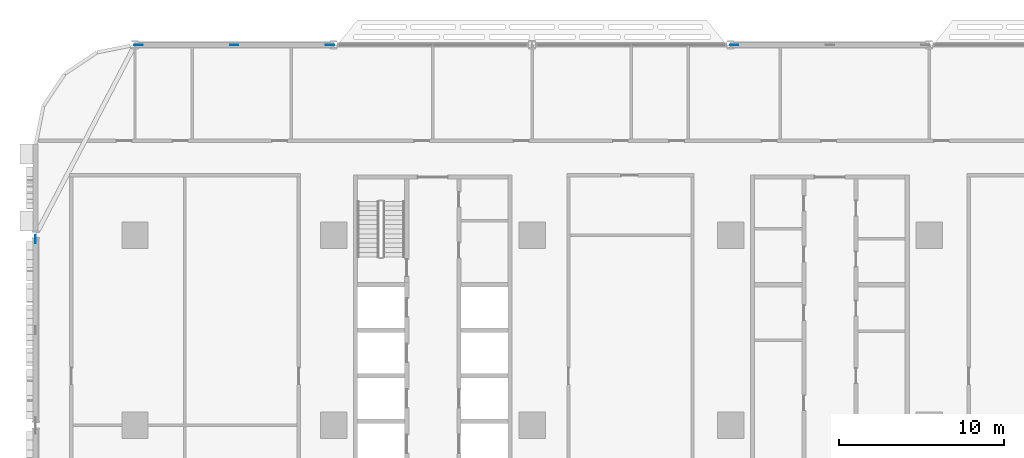
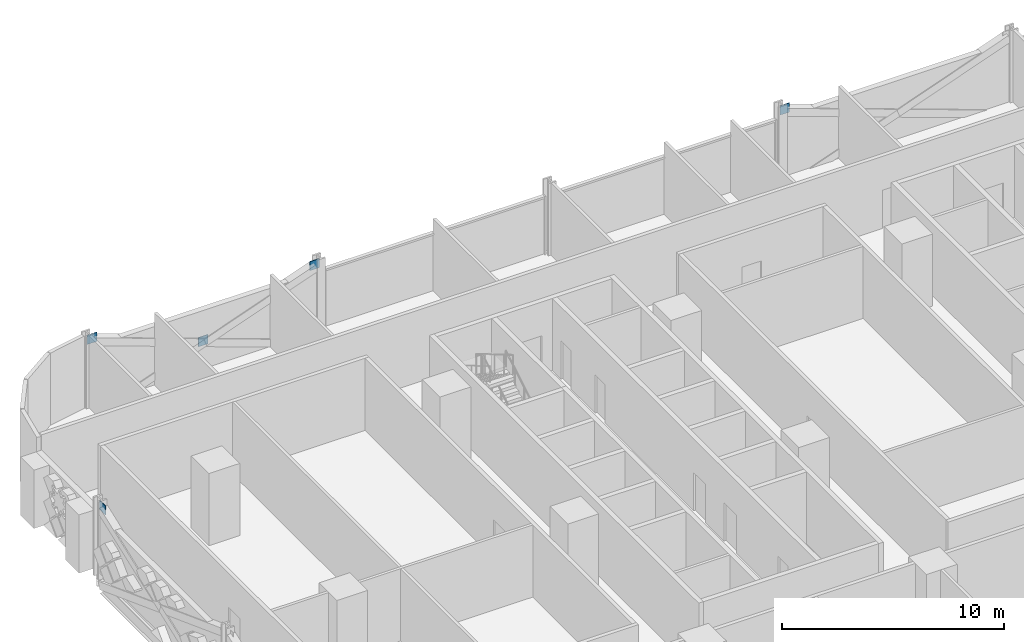
# One storey, part 18 of 28: 5 discrete accessories.
"""IFC4 building model written with IfcOpenShell, lengths in metres."""

from ifc_helpers import new_model, si_unit, direction, frame, origin, origin_2d, place, context, subcontext, project, spatial, rectangle, extrude, material, layer, layer_set, type_object, element, save


model = new_model("IFC4")

# Units and contexts
model_context = context("Model", 3, precision=1e-05, world=origin(), true_north=direction((0.0, 1.0)))
body_context = subcontext(model_context, "Body", "Model", "MODEL_VIEW")
ifc_project = project(units=[si_unit("LENGTHUNIT", "METRE"), si_unit("AREAUNIT", "SQUARE_METRE"), si_unit("VOLUMEUNIT", "CUBIC_METRE"), si_unit("PLANEANGLEUNIT", "RADIAN"), si_unit("MASSUNIT", "GRAM", prefix="KILO")], contexts=[model_context])

# Site, building, storey
site_placement = place(None, origin())
site = spatial("IfcSite", under=ifc_project, at=site_placement, CompositionType="ELEMENT")
building_placement = place(site_placement, origin())
building = spatial("IfcBuilding", under=site, at=building_placement, Name="Mahtab Terrace Research Tower", CompositionType="ELEMENT")
storey_placement = place(building_placement, frame((0.0, 0.0, 33.0)))
storey = spatial("IfcBuildingStorey", under=building, at=storey_placement, Name="L07", CompositionType="ELEMENT", Elevation=33.0)

# Discrete accessories
ifc_material = material(Name="Steel ASTM A992 Gr 50", Category="steel")
ifc_layer = layer(ifc_material, 0.030029296875)
ifc_layer_set = layer_set([ifc_layer], Name="Gusset plate 500x500x30")
discrete_accessory_type = type_object("IfcDiscreteAccessoryType", Name="Gusset plate 500x500x30", PredefinedType="USERDEFINED", material=ifc_layer_set)
for number, where, z_axis, x_axis, name in (
    (1, (-41.7841796875, 23.0, 3.32958984375), (0.0, 0.0, 1.0), (1.0, 0.0, 0.0), "Gusset plate"),
    (2, (-36.0, 23.0, 1.181396484375), (0.0, 0.0, 1.0), (1.0, 0.0, 0.0), "Gusset plate"),
    (3, (-30.2158203125, 23.0, 3.32958984375), (0.0, 0.0, 1.0), (1.0, 0.0, 0.0), "Gusset plate"),
    (4, (-5.7841796875, 23.0, 3.32958984375), (0.0, 0.0, 1.0), (1.0, 0.0, 0.0), "Gusset plate"),
    (5, (-48.0, 11.251220703125, 3.329345703125), (0.0, 0.0, 1.0), (0.0, 1.0, 0.0), "Gusset plate"),
):
    element("IfcDiscreteAccessory", number, at=place(storey_placement, frame(where, z_axis=z_axis, x_axis=x_axis)), inside=storey, type_object=discrete_accessory_type, Name=name, ObjectType="GUSSET PLATE", PredefinedType="USERDEFINED", context=body_context, shape_type="SweptSolid", body=[
        extrude(rectangle(XDim=0.5, YDim=0.030029296875, at=origin_2d()), origin(), (0.0, 0.0, 1.0), 0.5),
    ])

save(model, "model.ifc")
